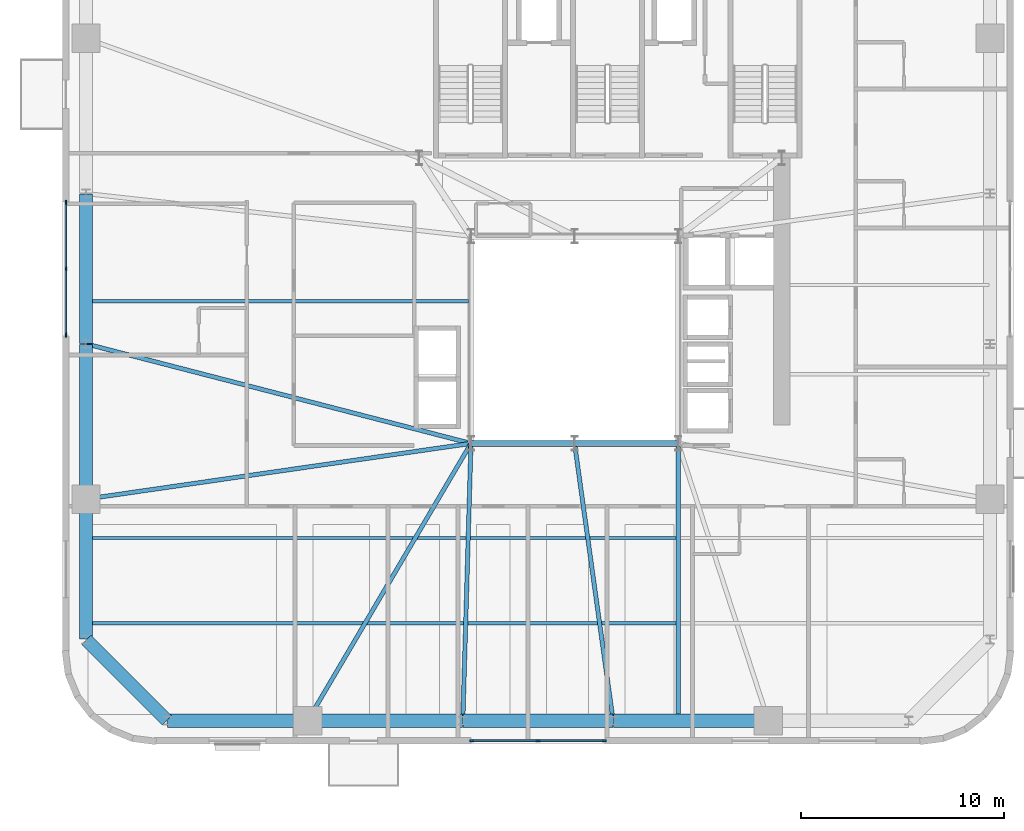
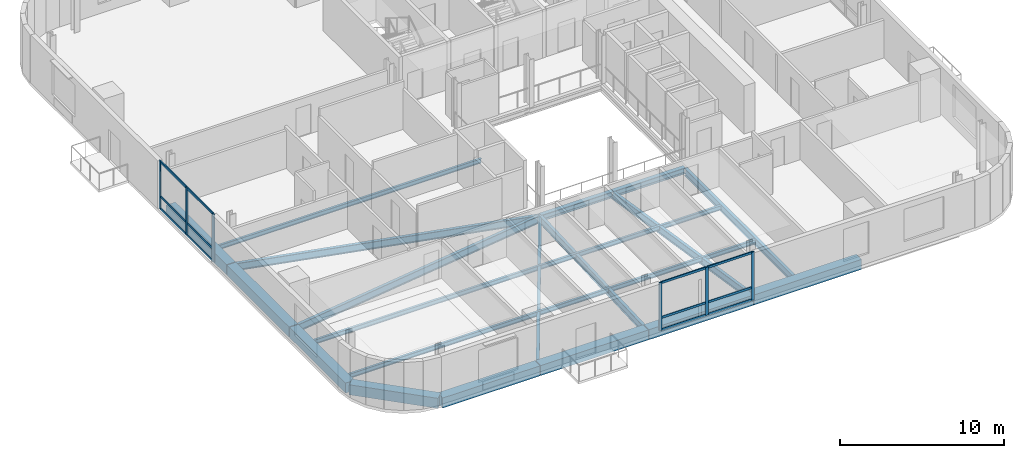
# One storey, part 3 of 16: 19 beams, 18 members, 2 elements without a shape of their own.
"""IFC4 building model written with IfcOpenShell, lengths in metres."""

from ifc_helpers import new_model, si_unit, direction, frame, origin, origin_2d, place, context, subcontext, project, spatial, rectangle, i_section, extrude, source, transform, mapped, material, material_profile, profile_set, type_object, element, aggregate, save


model = new_model("IFC4")

# Units and contexts
model_context = context("Model", 3, precision=1e-05, world=origin(), true_north=direction((0.0, 1.0)))
body_context = subcontext(model_context, "Body", "Model", "MODEL_VIEW")
ifc_project = project(units=[si_unit("LENGTHUNIT", "METRE"), si_unit("AREAUNIT", "SQUARE_METRE"), si_unit("VOLUMEUNIT", "CUBIC_METRE"), si_unit("PLANEANGLEUNIT", "RADIAN"), si_unit("MASSUNIT", "GRAM", prefix="KILO")], contexts=[model_context])

# Site, building, storey
site_placement = place(None, origin())
site = spatial("IfcSite", under=ifc_project, at=site_placement, CompositionType="ELEMENT")
building_placement = place(site_placement, origin())
building = spatial("IfcBuilding", under=site, at=building_placement, Name="Vardaveli Station Tower", CompositionType="ELEMENT")
storey_placement = place(building_placement, frame((0.0, 0.0, 181.0)))
storey = spatial("IfcBuildingStorey", under=building, at=storey_placement, Name="L46", CompositionType="ELEMENT", Elevation=181.0)

# Beams
ifc_material_1 = material(Name="Structural steel S355J2", Category="steel")
ifc_material_profile_1 = material_profile(ifc_material_1, i_section(OverallWidth=0.300048828125, OverallDepth=0.449951171875, WebThickness=0.013916015625, FlangeThickness=0.02587890625, FilletRadius=0.027099609375, at=origin_2d()), Name="HEB 450")
ifc_profile_set_1 = profile_set([ifc_material_profile_1], Name="Structural steel S355J2")
beam_type_1 = type_object("IfcBeamType", Name="BM-HEB450", PredefinedType="BEAM", material=ifc_profile_set_1)
shared_shape_1 = source(origin(), body_context, "Body", "SweptSolid", [
    extrude(i_section(OverallWidth=0.300048828125, OverallDepth=0.449951171875, WebThickness=0.013916015625, FlangeThickness=0.02587890625, FilletRadius=0.027099609375, at=origin_2d()), origin(), (0.0, 0.0, 1.0), 5.06005859375),
])
beam_1_placement = place(storey_placement, frame((31.219970703125, 16.60009765625, -0.445068359375), z_axis=(1.0, 0.0, 0.0), x_axis=(0.0, 1.0, 0.0)))
element("IfcBeam", 1, at=beam_1_placement, inside=storey, type_object=beam_type_1, Name="ABM-L46-01", PredefinedType="BEAM", context=body_context, shape_type="MappedRepresentation", body=[
    mapped(shared_shape_1, transform((0.0, 0.0, 0.0), scale=1.0)),
])
shared_shape_2 = source(origin(), body_context, "Body", "SweptSolid", [
    extrude(i_section(OverallWidth=0.300048828125, OverallDepth=0.449951171875, WebThickness=0.013916015625, FlangeThickness=0.02587890625, FilletRadius=0.027099609375, at=origin_2d()), origin(), (0.0, 0.0, 1.0), 5.059814453125),
])
beam_2_placement = place(storey_placement, frame((36.320068359375, 16.60009765625, -0.445068359375), z_axis=(1.0, 0.0, 0.0), x_axis=(0.0, 1.0, 0.0)))
element("IfcBeam", 2, at=beam_2_placement, inside=storey, type_object=beam_type_1, Name="ABM-L46-02", PredefinedType="BEAM", context=body_context, shape_type="MappedRepresentation", body=[
    mapped(shared_shape_2, transform((0.0, 0.0, 0.0), scale=1.0)),
])
ifc_material_2 = material(Name="Precast concrete C45/55", Category="concrete")
ifc_material_profile_2 = material_profile(ifc_material_2, rectangle(XDim=0.64990234375, YDim=0.75, at=origin_2d()), Name="LPB 650x750")
ifc_profile_set_2 = profile_set([ifc_material_profile_2], Name="Precast concrete C45/55")
beam_type_2 = type_object("IfcBeamType", Name="BM-LPB-750", PredefinedType="BEAM", material=ifc_profile_set_2)
shared_shape_3 = source(origin(), body_context, "Body", "SweptSolid", [
    extrude(rectangle(XDim=0.64990234375, YDim=0.75, at=origin_2d()), origin(), (0.0, 0.0, 1.0), 7.60009765625),
])
for number, where, z_axis, x_axis, name in (
    (3, (23.179931640625, 2.949951171875, -0.594970703125), (1.0, 0.0, 0.0), (0.0, 1.0, 0.0), "RBM-L46-01"),
    (4, (38.219970703125, 2.949951171875, -0.594970703125), (1.0, 0.0, 0.0), (0.0, 1.0, 0.0), "RBM-L46-03"),
    (5, (12.25, 21.47998046875, -0.594970703125), (0.0, -1.0, 0.0), (1.0, 0.0, 0.0), "RBM-L46-21"),
):
    element("IfcBeam", number, at=place(storey_placement, frame(where, z_axis=z_axis, x_axis=x_axis)), inside=storey, type_object=beam_type_2, Name=name, PredefinedType="BEAM", context=body_context, shape_type="MappedRepresentation", body=[
        mapped(shared_shape_3, transform((0.0, 0.0, 0.0), scale=1.0)),
    ])
shared_shape_4 = source(origin(), body_context, "Body", "SweptSolid", [
    extrude(rectangle(XDim=0.64990234375, YDim=0.75, at=origin_2d()), origin(), (0.0, 0.0, 1.0), 7.35986328125),
])
for number, where, z_axis, x_axis, name in (
    (6, (30.820068359375, 2.949951171875, -0.594970703125), (1.0, 0.0, 0.0), (0.0, 1.0, 0.0), "RBM-L46-02"),
    (7, (12.25, 28.8798828125, -0.594970703125), (0.0, -1.0, 0.0), (1.0, 0.0, 0.0), "RBM-L46-20"),
):
    element("IfcBeam", number, at=place(storey_placement, frame(where, z_axis=z_axis, x_axis=x_axis)), inside=storey, type_object=beam_type_2, Name=name, PredefinedType="BEAM", context=body_context, shape_type="MappedRepresentation", body=[
        mapped(shared_shape_4, transform((0.0, 0.0, 0.0), scale=1.0)),
    ])
shared_shape_5 = source(origin(), body_context, "Body", "SweptSolid", [
    extrude(rectangle(XDim=0.64990234375, YDim=0.75, at=origin_2d()), origin(), (0.0, 0.0, 1.0), 6.869873046875),
])
beam_3_placement = place(storey_placement, frame((16.27001953125, 2.949951171875, -0.594970703125), z_axis=(1.0, 0.0, 0.0), x_axis=(0.0, 1.0, 0.0)))
element("IfcBeam", 8, at=beam_3_placement, inside=storey, type_object=beam_type_2, Name="RBM-L46-24", PredefinedType="BEAM", context=body_context, shape_type="MappedRepresentation", body=[
    mapped(shared_shape_5, transform((0.0, 0.0, 0.0), scale=1.0)),
])
shared_shape_6 = source(origin(), body_context, "Body", "SweptSolid", [
    extrude(rectangle(XDim=0.64990234375, YDim=0.75, at=origin_2d()), origin(), (0.0, 0.0, 1.0), 5.61669921875),
])
beam_4_placement = place(storey_placement, frame((12.26416015625, 6.935791015625, -0.594970703125), z_axis=(0.707106781187, -0.707106781187, 0.0), x_axis=(0.707106781187, 0.707106781187, 0.0)))
element("IfcBeam", 9, at=beam_4_placement, inside=storey, type_object=beam_type_2, Name="RBM-L46-23", PredefinedType="BEAM", context=body_context, shape_type="MappedRepresentation", body=[
    mapped(shared_shape_6, transform((0.0, 0.0, 0.0), scale=1.0)),
])
shared_shape_7 = source(origin(), body_context, "Body", "SweptSolid", [
    extrude(rectangle(XDim=0.64990234375, YDim=0.75, at=origin_2d()), origin(), (0.0, 0.0, 1.0), 6.8701171875),
])
beam_5_placement = place(storey_placement, frame((12.25, 13.840087890625, -0.594970703125), z_axis=(0.0, -1.0, 0.0), x_axis=(1.0, 0.0, 0.0)))
element("IfcBeam", 10, at=beam_5_placement, inside=storey, type_object=beam_type_2, Name="RBM-L46-22", PredefinedType="BEAM", context=body_context, shape_type="MappedRepresentation", body=[
    mapped(shared_shape_7, transform((0.0, 0.0, 0.0), scale=1.0)),
])
ifc_material_profile_3 = material_profile(ifc_material_1, i_section(OverallWidth=0.2099609375, OverallDepth=0.550048828125, WebThickness=0.010986328125, FlangeThickness=0.01708984375, FilletRadius=0.02392578125, at=origin_2d()), Name="IPE 550")
ifc_profile_set_3 = profile_set([ifc_material_profile_3], Name="Structural steel S355J2")
beam_type_3 = type_object("IfcBeamType", Name="BM-IPE550", PredefinedType="BEAM", material=ifc_profile_set_3)
shared_shape_8 = source(origin(), body_context, "Body", "SweptSolid", [
    extrude(i_section(OverallWidth=0.2099609375, OverallDepth=0.550048828125, WebThickness=0.010986328125, FlangeThickness=0.01708984375, FilletRadius=0.02392578125, at=origin_2d()), origin(), (0.0, 0.0, 1.0), 13.469970703125),
])
beam_6_placement = place(storey_placement, frame((41.39990234375, 2.989990234375, -0.4951171875), z_axis=(0.0, 1.0, 0.0), x_axis=(-1.0, 0.0, 0.0)))
element("IfcBeam", 11, at=beam_6_placement, inside=storey, type_object=beam_type_3, Name="NSM-L46-S2", PredefinedType="BEAM", context=body_context, shape_type="MappedRepresentation", body=[
    mapped(shared_shape_8, transform((0.0, 0.0, 0.0), scale=1.0)),
])
ifc_material_profile_4 = material_profile(ifc_material_1, i_section(OverallWidth=0.159912109375, OverallDepth=0.330078125, WebThickness=0.007568359375, FlangeThickness=0.011474609375, FilletRadius=0.01806640625, at=origin_2d()), Name="IPE 330")
ifc_profile_set_4 = profile_set([ifc_material_profile_4], Name="Structural steel S355J2")
beam_type_4 = type_object("IfcBeamType", Name="BM-IPE330", PredefinedType="JOIST", material=ifc_profile_set_4)
shared_shape_9 = source(origin(), body_context, "Body", "SweptSolid", [
    extrude(i_section(OverallWidth=0.159912109375, OverallDepth=0.330078125, WebThickness=0.007568359375, FlangeThickness=0.011474609375, FilletRadius=0.01806640625, at=origin_2d()), origin(), (0.0, 0.0, 1.0), 28.998046875),
])
for number, where, z_axis, x_axis, name in (
    (12, (12.2900390625, 7.75, -0.385009765625), (1.0, 0.0, 0.0), (0.0, 1.0, 0.0), "SJ-L46-S01"),
    (13, (12.2900390625, 11.949951171875, -0.385009765625), (1.0, 0.0, 0.0), (0.0, 1.0, 0.0), "SJ-L46-S03"),
):
    element("IfcBeam", number, at=place(storey_placement, frame(where, z_axis=z_axis, x_axis=x_axis)), inside=storey, type_object=beam_type_4, Name=name, PredefinedType="JOIST", context=body_context, shape_type="MappedRepresentation", body=[
        mapped(shared_shape_9, transform((0.0, 0.0, 0.0), scale=1.0)),
    ])
shared_shape_10 = source(origin(), body_context, "Body", "SweptSolid", [
    extrude(i_section(OverallWidth=0.159912109375, OverallDepth=0.330078125, WebThickness=0.007568359375, FlangeThickness=0.011474609375, FilletRadius=0.01806640625, at=origin_2d()), origin(), (0.0, 0.0, 1.0), 18.7978515625),
])
beam_7_placement = place(storey_placement, frame((12.2900390625, 23.60009765625, -0.385009765625), z_axis=(1.0, 0.0, 0.0), x_axis=(0.0, 1.0, 0.0)))
element("IfcBeam", 14, at=beam_7_placement, inside=storey, type_object=beam_type_4, Name="SJ-L46-W06", PredefinedType="JOIST", context=body_context, shape_type="MappedRepresentation", body=[
    mapped(shared_shape_10, transform((0.0, 0.0, 0.0), scale=1.0)),
])
shared_shape_11 = source(origin(), body_context, "Body", "SweptSolid", [
    extrude(i_section(OverallWidth=0.2099609375, OverallDepth=0.550048828125, WebThickness=0.010986328125, FlangeThickness=0.01708984375, FilletRadius=0.02392578125, at=origin_2d()), origin(), (0.0, 0.0, 1.0), 15.8017578125),
])
beam_8_placement = place(storey_placement, frame((23.170166015625, 2.96728515625, -0.4951171875), z_axis=(0.507521713546, 0.86163896748, 0.0), x_axis=(-0.86163896748, 0.507521713546, 0.0)))
element("IfcBeam", 15, at=beam_8_placement, inside=storey, type_object=beam_type_3, Name="GBM-L46-01", PredefinedType="BEAM", context=body_context, shape_type="MappedRepresentation", body=[
    mapped(shared_shape_11, transform((0.0, 0.0, 0.0), scale=1.0)),
])
shared_shape_12 = source(origin(), body_context, "Body", "SweptSolid", [
    extrude(i_section(OverallWidth=0.2099609375, OverallDepth=0.550048828125, WebThickness=0.010986328125, FlangeThickness=0.01708984375, FilletRadius=0.02392578125, at=origin_2d()), origin(), (0.0, 0.0, 1.0), 13.615966796875),
])
beam_9_placement = place(storey_placement, frame((30.800537109375, 2.969970703125, -0.4951171875), z_axis=(0.029298411379, 0.9995707094, 0.0), x_axis=(-0.9995707094, 0.029298411379, 0.0)))
element("IfcBeam", 16, at=beam_9_placement, inside=storey, type_object=beam_type_3, Name="GBM-L46-02", PredefinedType="BEAM", context=body_context, shape_type="MappedRepresentation", body=[
    mapped(shared_shape_12, transform((0.0, 0.0, 0.0), scale=1.0)),
])
shared_shape_13 = source(origin(), body_context, "Body", "SweptSolid", [
    extrude(i_section(OverallWidth=0.2099609375, OverallDepth=0.550048828125, WebThickness=0.010986328125, FlangeThickness=0.01708984375, FilletRadius=0.02392578125, at=origin_2d()), origin(), (0.0, 0.0, 1.0), 13.741455078125),
])
beam_10_placement = place(storey_placement, frame((38.197265625, 2.9697265625, -0.4951171875), z_axis=(-0.137868554024, 0.990450534762, 0.0), x_axis=(-0.990450534762, -0.137868554024, 0.0)))
element("IfcBeam", 17, at=beam_10_placement, inside=storey, type_object=beam_type_3, Name="GBM-L46-03", PredefinedType="BEAM", context=body_context, shape_type="MappedRepresentation", body=[
    mapped(shared_shape_13, transform((0.0, 0.0, 0.0), scale=1.0)),
])
shared_shape_14 = source(origin(), body_context, "Body", "SweptSolid", [
    extrude(i_section(OverallWidth=0.2099609375, OverallDepth=0.550048828125, WebThickness=0.010986328125, FlangeThickness=0.01708984375, FilletRadius=0.02392578125, at=origin_2d()), origin(), (0.0, 0.0, 1.0), 19.533447265625),
])
beam_11_placement = place(storey_placement, frame((12.269287109375, 21.494873046875, -0.4951171875), z_axis=(0.968159081778, -0.250335759272, 0.0), x_axis=(0.250335759272, 0.968159081778, 0.0)))
element("IfcBeam", 18, at=beam_11_placement, inside=storey, type_object=beam_type_3, Name="GBM-L46-09", PredefinedType="BEAM", context=body_context, shape_type="MappedRepresentation", body=[
    mapped(shared_shape_14, transform((0.0, 0.0, 0.0), scale=1.0)),
])
shared_shape_15 = source(origin(), body_context, "Body", "SweptSolid", [
    extrude(i_section(OverallWidth=0.2099609375, OverallDepth=0.550048828125, WebThickness=0.010986328125, FlangeThickness=0.01708984375, FilletRadius=0.02392578125, at=origin_2d()), origin(), (0.0, 0.0, 1.0), 19.107177734375),
])
beam_12_placement = place(storey_placement, frame((12.269775390625, 13.86279296875, -0.4951171875), z_axis=(0.989707072711, 0.143108036903, 0.0), x_axis=(-0.143108036903, 0.989707072711, 0.0)))
element("IfcBeam", 19, at=beam_12_placement, inside=storey, type_object=beam_type_3, Name="GBM-L46-10", PredefinedType="BEAM", context=body_context, shape_type="MappedRepresentation", body=[
    mapped(shared_shape_15, transform((0.0, 0.0, 0.0), scale=1.0)),
])

# Curtain wall, members
ifc_material_3 = material(Name="Travertine stone and solar-control glass", Category="masonry")
curtain_wall_type = type_object("IfcCurtainWallType", Name="CW-SYS-5", PredefinedType="NOTDEFINED", material=ifc_material_3)
curtain_wall_1_placement = place(storey_placement, origin())
curtain_wall_1 = element("IfcCurtainWall", 20, at=curtain_wall_1_placement, inside=storey, type_object=curtain_wall_type, Name="CW-L46-S", PredefinedType="NOTDEFINED")
ifc_material_4 = material(Name="Anodised aluminium alloy 6063-T6", Category="aluminium")
ifc_material_profile_5 = material_profile(ifc_material_4, rectangle(XDim=0.080078125, YDim=0.205078125, at=origin_2d()), Name="CWM 80x205")
ifc_profile_set_5 = profile_set([ifc_material_profile_5], Name="Anodised aluminium alloy 6063-T6")
member_type_1 = type_object("IfcMemberType", Name="CW-SYS-5-MULL", PredefinedType="MULLION", material=ifc_profile_set_5)
shared_shape_16 = source(origin(), body_context, "Body", "SweptSolid", [
    extrude(rectangle(XDim=0.080078125, YDim=0.205078125, at=origin_2d()), origin(), (0.0, 0.0, 1.0), 3.580078125),
])
member_1_placement = place(storey_placement, frame((31.239990234375, 1.9599609375, 0.0), z_axis=(0.0, 0.0, 1.0), x_axis=(0.0, 1.0, 0.0)))
member_1 = element("IfcMember", 21, at=member_1_placement, type_object=member_type_1, Name="CW-5 mullion 1", PredefinedType="MULLION", context=body_context, shape_type="MappedRepresentation", body=[
    mapped(shared_shape_16, transform((0.0, 0.0, 0.0), scale=1.0)),
])
member_2_placement = place(storey_placement, frame((34.5, 1.9599609375, 0.0), z_axis=(0.0, 0.0, 1.0), x_axis=(0.0, 1.0, 0.0)))
member_2 = element("IfcMember", 22, at=member_2_placement, type_object=member_type_1, Name="CW-5 mullion 2", PredefinedType="MULLION", context=body_context, shape_type="MappedRepresentation", body=[
    mapped(shared_shape_16, transform((0.0, 0.0, 0.0), scale=1.0)),
])
member_3_placement = place(storey_placement, frame((37.760009765625, 1.9599609375, 0.0), z_axis=(0.0, 0.0, 1.0), x_axis=(0.0, 1.0, 0.0)))
member_3 = element("IfcMember", 23, at=member_3_placement, type_object=member_type_1, Name="CW-5 mullion 3", PredefinedType="MULLION", context=body_context, shape_type="MappedRepresentation", body=[
    mapped(shared_shape_16, transform((0.0, 0.0, 0.0), scale=1.0)),
])

curtain_wall_2_placement = place(storey_placement, origin())
curtain_wall_2 = element("IfcCurtainWall", 24, at=curtain_wall_2_placement, inside=storey, type_object=curtain_wall_type, Name="CW-L46-W", PredefinedType="NOTDEFINED")
member_4_placement = place(storey_placement, frame((11.260009765625, 28.4599609375, 0.0), z_axis=(0.0, 0.0, 1.0), x_axis=(1.0, 0.0, 0.0)))
member_4 = element("IfcMember", 25, at=member_4_placement, type_object=member_type_1, Name="CW-5 mullion 1", PredefinedType="MULLION", context=body_context, shape_type="MappedRepresentation", body=[
    mapped(shared_shape_16, transform((0.0, 0.0, 0.0), scale=1.0)),
])
member_5_placement = place(storey_placement, frame((11.260009765625, 25.199951171875, 0.0), z_axis=(0.0, 0.0, 1.0), x_axis=(1.0, 0.0, 0.0)))
member_5 = element("IfcMember", 26, at=member_5_placement, type_object=member_type_1, Name="CW-5 mullion 2", PredefinedType="MULLION", context=body_context, shape_type="MappedRepresentation", body=[
    mapped(shared_shape_16, transform((0.0, 0.0, 0.0), scale=1.0)),
])
member_6_placement = place(storey_placement, frame((11.260009765625, 21.93994140625, 0.0), z_axis=(0.0, 0.0, 1.0), x_axis=(1.0, 0.0, 0.0)))
member_6 = element("IfcMember", 27, at=member_6_placement, type_object=member_type_1, Name="CW-5 mullion 3", PredefinedType="MULLION", context=body_context, shape_type="MappedRepresentation", body=[
    mapped(shared_shape_16, transform((0.0, 0.0, 0.0), scale=1.0)),
])

# Member
ifc_material_profile_6 = material_profile(ifc_material_4, rectangle(XDim=0.080078125, YDim=0.1650390625, at=origin_2d()), Name="CWT 80x165")
ifc_profile_set_6 = profile_set([ifc_material_profile_6], Name="Anodised aluminium alloy 6063-T6")
member_type_2 = type_object("IfcMemberType", Name="CW-SYS-5-TRAN", PredefinedType="NOTDEFINED", material=ifc_profile_set_6)
shared_shape_17 = source(origin(), body_context, "Body", "SweptSolid", [
    extrude(rectangle(XDim=0.080078125, YDim=0.1650390625, at=origin_2d()), origin(), (0.0, 0.0, 1.0), 3.179931640625),
])
member_7_placement = place(storey_placement, frame((31.280029296875, 1.9599609375, 0.0400390625), z_axis=(1.0, 0.0, 0.0), x_axis=(0.0, 1.0, 0.0)))
member_7 = element("IfcMember", 28, at=member_7_placement, type_object=member_type_2, Name="CW-5 transom 1.1", ObjectType="TRANSOM", PredefinedType="USERDEFINED", context=body_context, shape_type="MappedRepresentation", body=[
    mapped(shared_shape_17, transform((0.0, 0.0, 0.0), scale=1.0)),
])

member_8_placement = place(storey_placement, frame((31.280029296875, 1.9599609375, 0.949951171875), z_axis=(1.0, 0.0, 0.0), x_axis=(0.0, 1.0, 0.0)))
member_8 = element("IfcMember", 29, at=member_8_placement, type_object=member_type_2, Name="CW-5 transom 1.2", ObjectType="TRANSOM", PredefinedType="USERDEFINED", context=body_context, shape_type="MappedRepresentation", body=[
    mapped(shared_shape_17, transform((0.0, 0.0, 0.0), scale=1.0)),
])

member_9_placement = place(storey_placement, frame((31.280029296875, 1.9599609375, 3.5400390625), z_axis=(1.0, 0.0, 0.0), x_axis=(0.0, 1.0, 0.0)))
member_9 = element("IfcMember", 30, at=member_9_placement, type_object=member_type_2, Name="CW-5 transom 1.3", ObjectType="TRANSOM", PredefinedType="USERDEFINED", context=body_context, shape_type="MappedRepresentation", body=[
    mapped(shared_shape_17, transform((0.0, 0.0, 0.0), scale=1.0)),
])

member_10_placement = place(storey_placement, frame((34.5400390625, 1.9599609375, 0.0400390625), z_axis=(1.0, 0.0, 0.0), x_axis=(0.0, 1.0, 0.0)))
member_10 = element("IfcMember", 31, at=member_10_placement, type_object=member_type_2, Name="CW-5 transom 2.1", ObjectType="TRANSOM", PredefinedType="USERDEFINED", context=body_context, shape_type="MappedRepresentation", body=[
    mapped(shared_shape_17, transform((0.0, 0.0, 0.0), scale=1.0)),
])

member_11_placement = place(storey_placement, frame((34.5400390625, 1.9599609375, 0.949951171875), z_axis=(1.0, 0.0, 0.0), x_axis=(0.0, 1.0, 0.0)))
member_11 = element("IfcMember", 32, at=member_11_placement, type_object=member_type_2, Name="CW-5 transom 2.2", ObjectType="TRANSOM", PredefinedType="USERDEFINED", context=body_context, shape_type="MappedRepresentation", body=[
    mapped(shared_shape_17, transform((0.0, 0.0, 0.0), scale=1.0)),
])

member_12_placement = place(storey_placement, frame((34.5400390625, 1.9599609375, 3.5400390625), z_axis=(1.0, 0.0, 0.0), x_axis=(0.0, 1.0, 0.0)))
member_12 = element("IfcMember", 33, at=member_12_placement, type_object=member_type_2, Name="CW-5 transom 2.3", ObjectType="TRANSOM", PredefinedType="USERDEFINED", context=body_context, shape_type="MappedRepresentation", body=[
    mapped(shared_shape_17, transform((0.0, 0.0, 0.0), scale=1.0)),
])

aggregate(curtain_wall_1, [member_1, member_2, member_3, member_7, member_8, member_9, member_10, member_11, member_12])

member_13_placement = place(storey_placement, frame((11.260009765625, 28.419921875, 0.0400390625), z_axis=(0.0, -1.0, 0.0), x_axis=(1.0, 0.0, 0.0)))
member_13 = element("IfcMember", 34, at=member_13_placement, type_object=member_type_2, Name="CW-5 transom 1.1", ObjectType="TRANSOM", PredefinedType="USERDEFINED", context=body_context, shape_type="MappedRepresentation", body=[
    mapped(shared_shape_17, transform((0.0, 0.0, 0.0), scale=1.0)),
])

member_14_placement = place(storey_placement, frame((11.260009765625, 28.419921875, 0.949951171875), z_axis=(0.0, -1.0, 0.0), x_axis=(1.0, 0.0, 0.0)))
member_14 = element("IfcMember", 35, at=member_14_placement, type_object=member_type_2, Name="CW-5 transom 1.2", ObjectType="TRANSOM", PredefinedType="USERDEFINED", context=body_context, shape_type="MappedRepresentation", body=[
    mapped(shared_shape_17, transform((0.0, 0.0, 0.0), scale=1.0)),
])

member_15_placement = place(storey_placement, frame((11.260009765625, 28.419921875, 3.5400390625), z_axis=(0.0, -1.0, 0.0), x_axis=(1.0, 0.0, 0.0)))
member_15 = element("IfcMember", 36, at=member_15_placement, type_object=member_type_2, Name="CW-5 transom 1.3", ObjectType="TRANSOM", PredefinedType="USERDEFINED", context=body_context, shape_type="MappedRepresentation", body=[
    mapped(shared_shape_17, transform((0.0, 0.0, 0.0), scale=1.0)),
])

member_16_placement = place(storey_placement, frame((11.260009765625, 25.159912109375, 0.0400390625), z_axis=(0.0, -1.0, 0.0), x_axis=(1.0, 0.0, 0.0)))
member_16 = element("IfcMember", 37, at=member_16_placement, type_object=member_type_2, Name="CW-5 transom 2.1", ObjectType="TRANSOM", PredefinedType="USERDEFINED", context=body_context, shape_type="MappedRepresentation", body=[
    mapped(shared_shape_17, transform((0.0, 0.0, 0.0), scale=1.0)),
])

member_17_placement = place(storey_placement, frame((11.260009765625, 25.159912109375, 0.949951171875), z_axis=(0.0, -1.0, 0.0), x_axis=(1.0, 0.0, 0.0)))
member_17 = element("IfcMember", 38, at=member_17_placement, type_object=member_type_2, Name="CW-5 transom 2.2", ObjectType="TRANSOM", PredefinedType="USERDEFINED", context=body_context, shape_type="MappedRepresentation", body=[
    mapped(shared_shape_17, transform((0.0, 0.0, 0.0), scale=1.0)),
])

member_18_placement = place(storey_placement, frame((11.260009765625, 25.159912109375, 3.5400390625), z_axis=(0.0, -1.0, 0.0), x_axis=(1.0, 0.0, 0.0)))
member_18 = element("IfcMember", 39, at=member_18_placement, type_object=member_type_2, Name="CW-5 transom 2.3", ObjectType="TRANSOM", PredefinedType="USERDEFINED", context=body_context, shape_type="MappedRepresentation", body=[
    mapped(shared_shape_17, transform((0.0, 0.0, 0.0), scale=1.0)),
])

aggregate(curtain_wall_2, [member_4, member_5, member_6, member_13, member_14, member_15, member_16, member_17, member_18])

save(model, "model.ifc")
